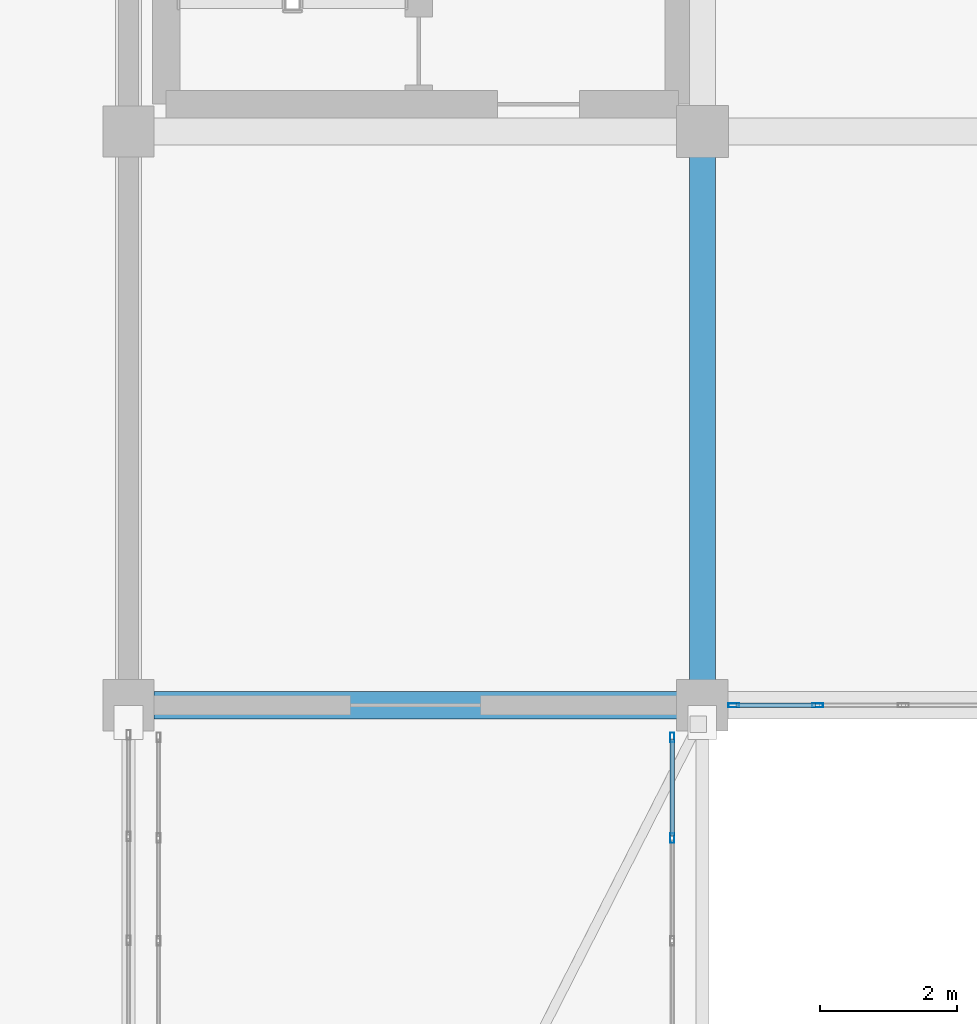
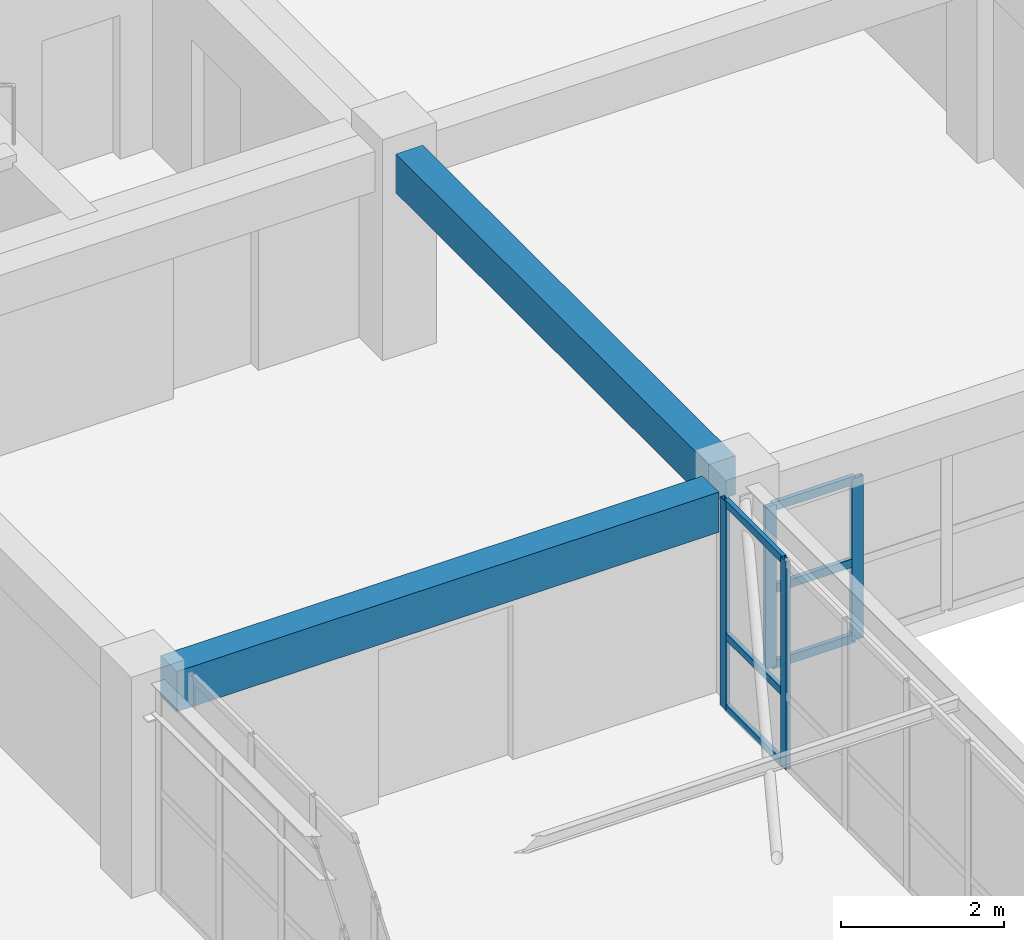
# One storey, part 66 of 200: 10 members, 2 beams, 2 elements without a shape of their own.
"""IFC4 building model written with IfcOpenShell, lengths in metres."""

from ifc_helpers import new_model, si_unit, direction, frame, origin, origin_2d, place, context, subcontext, project, spatial, rectangle, hollow_rectangle, extrude, material, layer, layer_set, material_profile, profile_set, type_object, element, aggregate, save


model = new_model("IFC4")

# Units and contexts
model_context = context("Model", 3, precision=1e-05, world=origin(), true_north=direction((0.0, 1.0)))
body_context = subcontext(model_context, "Body", "Model", "MODEL_VIEW")
ifc_project = project(units=[si_unit("LENGTHUNIT", "METRE"), si_unit("AREAUNIT", "SQUARE_METRE"), si_unit("VOLUMEUNIT", "CUBIC_METRE"), si_unit("PLANEANGLEUNIT", "RADIAN"), si_unit("MASSUNIT", "GRAM", prefix="KILO")], contexts=[model_context])

# Site, building, storey
site_placement = place(None, origin())
site = spatial("IfcSite", under=ifc_project, at=site_placement, CompositionType="ELEMENT")
building_placement = place(site_placement, origin())
building = spatial("IfcBuilding", under=site, at=building_placement, Name="Trelvath General Hospital", CompositionType="ELEMENT")
storey_placement = place(building_placement, frame((0.0, 0.0, 4.800048828125)))
storey = spatial("IfcBuildingStorey", under=building, at=storey_placement, Name="L01", CompositionType="ELEMENT", Elevation=4.800048828125)

# Beams
ifc_material_1 = material(Name="Concrete C35/45", Category="concrete")
ifc_material_profile_1 = material_profile(ifc_material_1, rectangle(XDim=0.3798828125, YDim=0.580078125, at=origin_2d()), Name="RCB380x580")
ifc_profile_set_1 = profile_set([ifc_material_profile_1], Name="Concrete C35/45")
beam_type_1 = type_object("IfcBeamType", Name="Beam RC380x580", PredefinedType="BEAM", material=ifc_profile_set_1)
beam_1_placement = place(storey_placement, frame((84.0, 42.3701171875, 2.72998046875), z_axis=(0.0, 1.0, 0.0), x_axis=(-1.0, 0.0, 0.0)))
element("IfcBeam", 1, at=beam_1_placement, inside=storey, type_object=beam_type_1, Name="Grid Beam BY-110F", PredefinedType="BEAM", context=body_context, shape_type="SweptSolid", body=[
    extrude(rectangle(XDim=0.3798828125, YDim=0.580078125, at=origin_2d()), origin(), (0.0, 0.0, 1.0), 7.65478515625),
])
ifc_material_2 = material(Name="Concrete C35/45", Category="concrete")
ifc_material_profile_2 = material_profile(ifc_material_2, rectangle(XDim=0.39990234375, YDim=0.60009765625, at=origin_2d()), Name="RCB400x600")
ifc_profile_set_2 = profile_set([ifc_material_profile_2], Name="Concrete C35/45")
beam_type_2 = type_object("IfcBeamType", Name="Beam RC400x600", PredefinedType="BEAM", material=ifc_profile_set_2)
beam_2_placement = place(storey_placement, frame((75.969970703125, 42.0, 2.719970703125), z_axis=(1.0, 0.0, 0.0), x_axis=(0.0, 1.0, 0.0)))
element("IfcBeam", 2, at=beam_2_placement, inside=storey, type_object=beam_type_2, Name="Grid Beam BX-109F", PredefinedType="BEAM", context=body_context, shape_type="SweptSolid", body=[
    extrude(rectangle(XDim=0.39990234375, YDim=0.60009765625, at=origin_2d()), origin(), (0.0, 0.0, 1.0), 7.659912109375),
])

# Curtain wall, members
ifc_material_3 = material(Name="Anodised aluminium and low-E glass", Category="aluminium")
ifc_layer_1 = layer(ifc_material_3, 0.139892578125)
ifc_layer_set_1 = layer_set([ifc_layer_1], Name="Anodised aluminium and low-E glass")
curtain_wall_type_1 = type_object("IfcCurtainWallType", Name="CW Bridge 752 311", PredefinedType="USERDEFINED", material=ifc_layer_set_1)
curtain_wall_1_placement = place(storey_placement, origin())
curtain_wall_1 = element("IfcCurtainWall", 3, at=curtain_wall_1_placement, inside=storey, type_object=curtain_wall_type_1, Name="Glazed Bridge Curtain Wall BRG-S-C E L01", ObjectType="Unitised Glazed Curtain Wall", PredefinedType="USERDEFINED")
ifc_material_4 = material(Name="Anodised aluminium", Category="aluminium")
ifc_material_profile_3 = material_profile(ifc_material_4, hollow_rectangle(XDim=0.06005859375, YDim=0.139892578125, WallThickness=0.00390625, at=origin_2d()), Name="RHS60x140x4")
ifc_profile_set_3 = profile_set([ifc_material_profile_3], Name="Anodised aluminium")
member_type_1 = type_object("IfcMemberType", Name="CurtainMullion 60x140", PredefinedType="MULLION", material=ifc_profile_set_3)
member_1_placement = place(storey_placement, frame((83.56005859375, 41.530029296875, 0.0), z_axis=(0.0, 0.0, 1.0), x_axis=(1.0, 0.0, 0.0)))
member_1 = element("IfcMember", 4, at=member_1_placement, type_object=member_type_1, Name="CW-181 mullion 1", PredefinedType="MULLION", context=body_context, shape_type="SweptSolid", body=[
    extrude(hollow_rectangle(XDim=0.06005859375, YDim=0.139892578125, WallThickness=0.00390625, at=origin_2d()), origin(), (0.0, 0.0, 1.0), 3.10986328125),
])
member_2_placement = place(storey_placement, frame((83.56005859375, 40.055908203125, 0.0), z_axis=(0.0, 0.0, 1.0), x_axis=(1.0, 0.0, 0.0)))
member_2 = element("IfcMember", 5, at=member_2_placement, type_object=member_type_1, Name="CW-181 mullion 2", PredefinedType="MULLION", context=body_context, shape_type="SweptSolid", body=[
    extrude(hollow_rectangle(XDim=0.06005859375, YDim=0.139892578125, WallThickness=0.00390625, at=origin_2d()), origin(), (0.0, 0.0, 1.0), 3.10986328125),
])

ifc_material_5 = material(Name="Anodised aluminium and low-E glass", Category="aluminium")
ifc_layer_2 = layer(ifc_material_5, 0.159912109375)
ifc_layer_set_2 = layer_set([ifc_layer_2], Name="Anodised aluminium and low-E glass")
curtain_wall_type_2 = type_object("IfcCurtainWallType", Name="CW Facade 754 242 16", PredefinedType="USERDEFINED", material=ifc_layer_set_2)
curtain_wall_2_placement = place(storey_placement, origin())
curtain_wall_2 = element("IfcCurtainWall", 6, at=curtain_wall_2_placement, inside=storey, type_object=curtain_wall_type_2, Name="Facade Curtain Wall CW-016", ObjectType="Unitised Glazed Curtain Wall", PredefinedType="USERDEFINED")
ifc_material_6 = material(Name="Anodised aluminium", Category="aluminium")
ifc_material_profile_4 = material_profile(ifc_material_6, hollow_rectangle(XDim=0.06005859375, YDim=0.159912109375, WallThickness=0.00390625, at=origin_2d()), Name="RHS60x160x4")
ifc_profile_set_4 = profile_set([ifc_material_profile_4], Name="Anodised aluminium")
member_type_2 = type_object("IfcMemberType", Name="CurtainMullion 60x160", PredefinedType="MULLION", material=ifc_profile_set_4)
member_3_placement = place(storey_placement, frame((85.686767578125, 42.0, 0.0), z_axis=(0.0, 0.0, 1.0), x_axis=(0.0, -1.0, 0.0)))
member_3 = element("IfcMember", 7, at=member_3_placement, type_object=member_type_2, Name="CW-016 mullion 6", PredefinedType="MULLION", context=body_context, shape_type="SweptSolid", body=[
    extrude(hollow_rectangle(XDim=0.06005859375, YDim=0.159912109375, WallThickness=0.00390625, at=origin_2d()), origin(), (0.0, 0.0, 1.0), 2.419921875),
])
member_4_placement = place(storey_placement, frame((84.4599609375, 42.0, 0.0), z_axis=(0.0, 0.0, 1.0), x_axis=(0.0, -1.0, 0.0)))
member_4 = element("IfcMember", 8, at=member_4_placement, type_object=member_type_2, Name="CW-016 mullion 7", PredefinedType="MULLION", context=body_context, shape_type="SweptSolid", body=[
    extrude(hollow_rectangle(XDim=0.06005859375, YDim=0.159912109375, WallThickness=0.00390625, at=origin_2d()), origin(), (0.0, 0.0, 1.0), 2.419921875),
])

# Member
ifc_material_7 = material(Name="Anodised aluminium", Category="aluminium")
ifc_material_profile_5 = material_profile(ifc_material_7, hollow_rectangle(XDim=0.06005859375, YDim=0.110107421875, WallThickness=0.00390625, at=origin_2d()), Name="RHS60x110x4")
ifc_profile_set_5 = profile_set([ifc_material_profile_5], Name="Anodised aluminium")
member_type_3 = type_object("IfcMemberType", Name="CurtainTransom 60x110", PredefinedType="USERDEFINED", material=ifc_profile_set_5)
member_5_placement = place(storey_placement, frame((83.56005859375, 41.5, 0.030029296875), z_axis=(0.0, -1.0, 0.0), x_axis=(1.0, 0.0, 0.0)))
member_5 = element("IfcMember", 9, at=member_5_placement, type_object=member_type_3, Name="CW-181 transom 1.1", ObjectType="TRANSOM", PredefinedType="USERDEFINED", context=body_context, shape_type="SweptSolid", body=[
    extrude(hollow_rectangle(XDim=0.06005859375, YDim=0.110107421875, WallThickness=0.00390625, at=origin_2d()), origin(), (0.0, 0.0, 1.0), 1.4140625),
])

member_6_placement = place(storey_placement, frame((83.56005859375, 41.5, 1.099853515625), z_axis=(0.0, -1.0, 0.0), x_axis=(1.0, 0.0, 0.0)))
member_6 = element("IfcMember", 10, at=member_6_placement, type_object=member_type_3, Name="CW-181 transom 1.2", ObjectType="TRANSOM", PredefinedType="USERDEFINED", context=body_context, shape_type="SweptSolid", body=[
    extrude(hollow_rectangle(XDim=0.06005859375, YDim=0.110107421875, WallThickness=0.00390625, at=origin_2d()), origin(), (0.0, 0.0, 1.0), 1.4140625),
])

member_7_placement = place(storey_placement, frame((83.56005859375, 41.5, 3.079833984375), z_axis=(0.0, -1.0, 0.0), x_axis=(1.0, 0.0, 0.0)))
member_7 = element("IfcMember", 11, at=member_7_placement, type_object=member_type_3, Name="CW-181 transom 1.3", ObjectType="TRANSOM", PredefinedType="USERDEFINED", context=body_context, shape_type="SweptSolid", body=[
    extrude(hollow_rectangle(XDim=0.06005859375, YDim=0.110107421875, WallThickness=0.00390625, at=origin_2d()), origin(), (0.0, 0.0, 1.0), 1.4140625),
])

aggregate(curtain_wall_1, [member_1, member_2, member_5, member_6, member_7])

ifc_material_8 = material(Name="Anodised aluminium", Category="aluminium")
ifc_material_profile_6 = material_profile(ifc_material_8, hollow_rectangle(XDim=0.06005859375, YDim=0.125, WallThickness=0.00390625, at=origin_2d()), Name="RHS60x125x4")
ifc_profile_set_6 = profile_set([ifc_material_profile_6], Name="Anodised aluminium")
member_type_4 = type_object("IfcMemberType", Name="CurtainTransom 60x125", PredefinedType="USERDEFINED", material=ifc_profile_set_6)
member_8_placement = place(storey_placement, frame((85.65673828125, 42.0, 0.030029296875), z_axis=(-1.0, 0.0, 0.0), x_axis=(0.0, -1.0, 0.0)))
member_8 = element("IfcMember", 12, at=member_8_placement, type_object=member_type_4, Name="CW-016 transom 6.1", ObjectType="TRANSOM", PredefinedType="USERDEFINED", context=body_context, shape_type="SweptSolid", body=[
    extrude(hollow_rectangle(XDim=0.06005859375, YDim=0.125, WallThickness=0.00390625, at=origin_2d()), origin(), (0.0, 0.0, 1.0), 1.166748046875),
])

member_9_placement = place(storey_placement, frame((85.65673828125, 42.0, 1.161865234375), z_axis=(-1.0, 0.0, 0.0), x_axis=(0.0, -1.0, 0.0)))
member_9 = element("IfcMember", 13, at=member_9_placement, type_object=member_type_4, Name="CW-016 transom 6.2", ObjectType="TRANSOM", PredefinedType="USERDEFINED", context=body_context, shape_type="SweptSolid", body=[
    extrude(hollow_rectangle(XDim=0.06005859375, YDim=0.125, WallThickness=0.00390625, at=origin_2d()), origin(), (0.0, 0.0, 1.0), 1.166748046875),
])

member_10_placement = place(storey_placement, frame((85.65673828125, 42.0, 2.389892578125), z_axis=(-1.0, 0.0, 0.0), x_axis=(0.0, -1.0, 0.0)))
member_10 = element("IfcMember", 14, at=member_10_placement, type_object=member_type_4, Name="CW-016 transom 6.3", ObjectType="TRANSOM", PredefinedType="USERDEFINED", context=body_context, shape_type="SweptSolid", body=[
    extrude(hollow_rectangle(XDim=0.06005859375, YDim=0.125, WallThickness=0.00390625, at=origin_2d()), origin(), (0.0, 0.0, 1.0), 1.166748046875),
])

aggregate(curtain_wall_2, [member_3, member_4, member_8, member_9, member_10])

save(model, "model.ifc")
